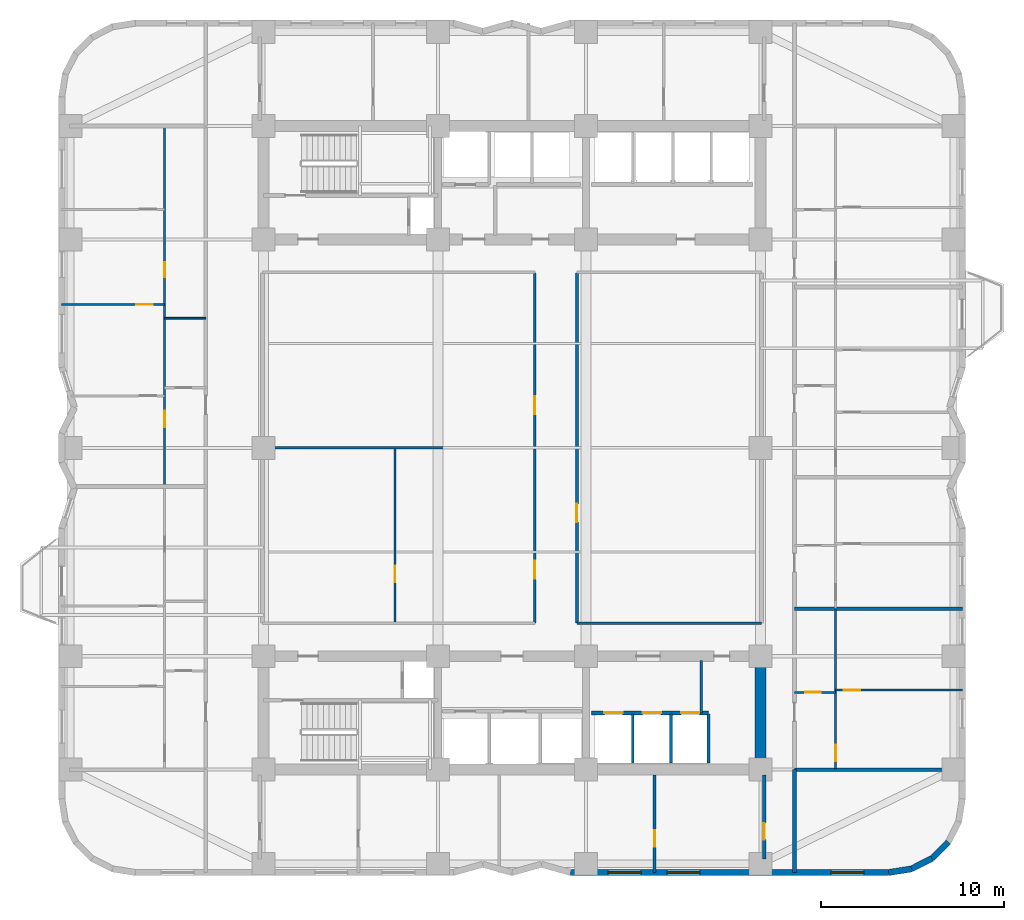
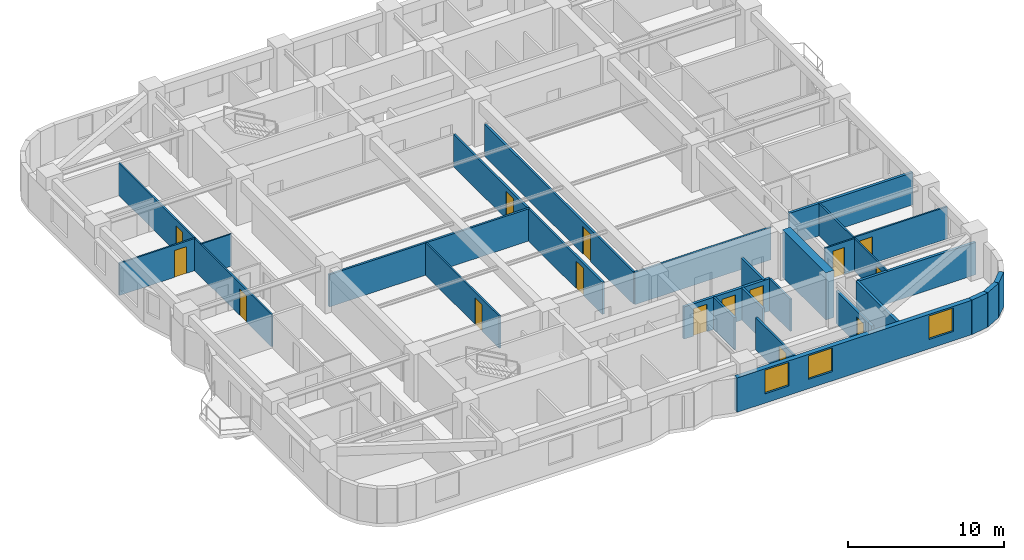
# One storey, part 4 of 9: 26 walls, 15 doors, 3 windows, 18 openings.
"""IFC4 building model written with IfcOpenShell, lengths in metres."""

from ifc_helpers import new_model, si_unit, direction, frame, frame_2d, origin, place, context, subcontext, project, spatial, rectangle, extrude, material, layer, layer_set, type_object, element, fill, save


model = new_model("IFC4")

# Units and contexts
model_context = context("Model", 3, precision=1e-05, world=origin(), true_north=direction((0.0, 1.0)))
body_context = subcontext(model_context, "Body", "Model", "MODEL_VIEW")
ifc_project = project(units=[si_unit("LENGTHUNIT", "METRE"), si_unit("AREAUNIT", "SQUARE_METRE"), si_unit("VOLUMEUNIT", "CUBIC_METRE"), si_unit("PLANEANGLEUNIT", "RADIAN"), si_unit("MASSUNIT", "GRAM", prefix="KILO")], contexts=[model_context])

# Site, building, storey
site_placement = place(None, origin())
site = spatial("IfcSite", under=ifc_project, at=site_placement, CompositionType="ELEMENT")
building_placement = place(site_placement, origin())
building = spatial("IfcBuilding", under=site, at=building_placement, Name="Svetorya Sky Lyceum", CompositionType="ELEMENT")
storey_placement = place(building_placement, frame((0.0, 0.0, 62.10009765625)))
storey = spatial("IfcBuildingStorey", under=building, at=storey_placement, Name="L15", CompositionType="ELEMENT", Elevation=62.10009765625)

# Wall
ifc_material_1 = material(Name="Concrete C60/75", Category="concrete")
ifc_layer_1 = layer(ifc_material_1, 0.60009765625)
ifc_layer_set_1 = layer_set([ifc_layer_1], Name="Concrete C60/75")
wall_type_1 = type_object("IfcWallType", Name="WL-CORE-600", PredefinedType="SHEAR", material=ifc_layer_set_1)
wall_1_placement = place(storey_placement, frame((52.800048828125, 10.89990234375, 0.0), z_axis=(0.0, 0.0, 1.0), x_axis=(0.0, 1.0, 0.0)))
element("IfcWall", 1, at=wall_1_placement, inside=storey, type_object=wall_type_1, Name="L15 SC East Core Shear Wall", PredefinedType="SHEAR", context=body_context, shape_type="SweptSolid", body=[
    extrude(rectangle(XDim=5.60009765625, YDim=0.60009765625, at=frame_2d((2.800048828125, 0.0))), origin(), (0.0, 0.0, 1.0), 3.699951171875),
])

# Wall, openings, windows
ifc_material_2 = material(Name="Putilovo limestone rainscreen on autoclaved cellular masonry", Category="masonry")
ifc_layer_2 = layer(ifc_material_2, 0.340087890625)
ifc_layer_set_2 = layer_set([ifc_layer_2], Name="Putilovo limestone rainscreen on autoclaved cellular masonry")
wall_type_2 = type_object("IfcWallType", Name="WL-EXT-340", PredefinedType="SOLIDWALL", material=ifc_layer_set_2)
wall_2_placement = place(storey_placement, frame((42.39990234375, 4.969970703125, 0.0), z_axis=(0.0, 0.0, 1.0), x_axis=(1.0, 0.0, 0.0)))
wall_2 = element("IfcWall", 2, at=wall_2_placement, inside=storey, type_object=wall_type_2, Name="L15 Limestone Exterior Wall 11M", PredefinedType="SOLIDWALL", context=body_context, shape_type="SweptSolid", body=[
    extrude(rectangle(XDim=17.400146484375, YDim=0.340087890625, at=frame_2d((8.7001953125, 0.0))), origin(), (0.0, 0.0, 1.0), 2.699951171875),
])
opening_1_placement = place(wall_2_placement, frame((2.06005859375, 0.0, 0.72998046875)))
opening_1 = element("IfcOpeningElement", 3, at=opening_1_placement, cuts=wall_2, Name="Opening W-R1", PredefinedType="OPENING", context=body_context, shape_type="SweptSolid", body=[
    extrude(rectangle(XDim=1.800048828125, YDim=1.85009765625, at=frame_2d((0.89990234375, 0.925048828125))), frame((0.0, 0.179931640625, 0.0), z_axis=(0.0, -1.0, 0.0), x_axis=(1.0, 0.0, 0.0)), (0.0, 0.0, 1.0), 0.360107421875),
])
opening_2_placement = place(wall_2_placement, frame((5.280029296875, 0.0, 0.72998046875)))
opening_2 = element("IfcOpeningElement", 4, at=opening_2_placement, cuts=wall_2, Name="Opening W-R1", PredefinedType="OPENING", context=body_context, shape_type="SweptSolid", body=[
    extrude(rectangle(XDim=1.800048828125, YDim=1.85009765625, at=frame_2d((0.89990234375, 0.925048828125))), frame((0.0, 0.179931640625, 0.0), z_axis=(0.0, -1.0, 0.0), x_axis=(1.0, 0.0, 0.0)), (0.0, 0.0, 1.0), 0.360107421875),
])
opening_3_placement = place(wall_2_placement, frame((14.239990234375, 0.0, 0.72998046875)))
opening_3 = element("IfcOpeningElement", 5, at=opening_3_placement, cuts=wall_2, Name="Opening W-R1", PredefinedType="OPENING", context=body_context, shape_type="SweptSolid", body=[
    extrude(rectangle(XDim=1.800048828125, YDim=1.85009765625, at=frame_2d((0.89990234375, 0.925048828125))), frame((0.0, 0.179931640625, 0.0), z_axis=(0.0, -1.0, 0.0), x_axis=(1.0, 0.0, 0.0)), (0.0, 0.0, 1.0), 0.360107421875),
])
ifc_material_3 = material(Name="Thermally broken aluminium frame with triple low-E glazing", Category="aluminium")
window_type = type_object("IfcWindowType", Name="WN-RES-180", PartitioningType="DOUBLE_PANEL_VERTICAL", PredefinedType="WINDOW", material=ifc_material_3)
window_1_placement = place(opening_1_placement, origin())
window_1 = element("IfcWindow", 6, at=window_1_placement, inside=storey, type_object=window_type, Name="L15 Facade Window W-R1.11M.1", OverallHeight=1.85009765625, OverallWidth=1.800048828125, PartitioningType="SINGLE_PANEL", PredefinedType="WINDOW", context=body_context, shape_type="SweptSolid", body=[
    extrude(rectangle(XDim=1.800048828125, YDim=1.85009765625, at=frame_2d((0.89990234375, 0.925048828125))), frame((0.0, 0.030029296875, 0.0), z_axis=(0.0, -1.0, 0.0), x_axis=(1.0, 0.0, 0.0)), (0.0, 0.0, 1.0), 0.06005859375),
])
fill(opening_1, window_1)
window_2_placement = place(opening_2_placement, origin())
window_2 = element("IfcWindow", 7, at=window_2_placement, inside=storey, type_object=window_type, Name="L15 Facade Window W-R1.11M.2", OverallHeight=1.85009765625, OverallWidth=1.800048828125, PartitioningType="SINGLE_PANEL", PredefinedType="WINDOW", context=body_context, shape_type="SweptSolid", body=[
    extrude(rectangle(XDim=1.800048828125, YDim=1.85009765625, at=frame_2d((0.89990234375, 0.925048828125))), frame((0.0, 0.030029296875, 0.0), z_axis=(0.0, -1.0, 0.0), x_axis=(1.0, 0.0, 0.0)), (0.0, 0.0, 1.0), 0.06005859375),
])
fill(opening_2, window_2)
window_3_placement = place(opening_3_placement, origin())
window_3 = element("IfcWindow", 8, at=window_3_placement, inside=storey, type_object=window_type, Name="L15 Facade Window W-R1.11M.3", OverallHeight=1.85009765625, OverallWidth=1.800048828125, PartitioningType="SINGLE_PANEL", PredefinedType="WINDOW", context=body_context, shape_type="SweptSolid", body=[
    extrude(rectangle(XDim=1.800048828125, YDim=1.85009765625, at=frame_2d((0.89990234375, 0.925048828125))), frame((0.0, 0.030029296875, 0.0), z_axis=(0.0, -1.0, 0.0), x_axis=(1.0, 0.0, 0.0)), (0.0, 0.0, 1.0), 0.06005859375),
])
fill(opening_3, window_3)

# Walls
wall_3_placement = place(storey_placement, frame((59.800048828125, 4.969970703125, 0.0), z_axis=(0.0, 0.0, 1.0), x_axis=(0.987685918112, 0.15644975923, 0.0)))
element("IfcWall", 9, at=wall_3_placement, inside=storey, type_object=wall_type_2, Name="L15 Limestone Exterior Wall 12M", PredefinedType="SOLIDWALL", context=body_context, shape_type="SweptSolid", body=[
    extrude(rectangle(XDim=1.260986328125, YDim=0.340087890625, at=frame_2d((0.63037109375, 0.0))), origin(), (0.0, 0.0, 1.0), 2.699951171875),
])
for number, where, z_axis, x_axis, name in (
    (10, (61.04541015625, 5.167236328125, 0.0), (0.0, 0.0, 1.0), (0.890953769915, 0.454094020963, 0.0), "L15 Limestone Exterior Wall 13M"),
    (11, (62.168701171875, 5.73974609375, 0.0), (0.0, 0.0, 1.0), (0.707203598708, 0.707009950407, 0.0), "L15 Limestone Exterior Wall 14M"),
):
    element("IfcWall", number, at=place(storey_placement, frame(where, z_axis=z_axis, x_axis=x_axis)), inside=storey, type_object=wall_type_2, Name=name, PredefinedType="SOLIDWALL", context=body_context, shape_type="SweptSolid", body=[
        extrude(rectangle(XDim=1.2607421875, YDim=0.340087890625, at=frame_2d((0.63037109375, 0.0))), origin(), (0.0, 0.0, 1.0), 2.699951171875),
    ])
ifc_material_4 = material(Name="Galvanized stud partition with moisture-resistant board", Category="gypsum")
ifc_layer_3 = layer(ifc_material_4, 0.10009765625)
ifc_layer_set_3 = layer_set([ifc_layer_3], Name="Galvanized stud partition with moisture-resistant board")
wall_type_3 = type_object("IfcWallType", Name="WL-PART-100", PredefinedType="PARTITIONING", material=ifc_layer_set_3)
wall_4_placement = place(storey_placement, frame((20.199951171875, 35.2880859375, 0.0), z_axis=(0.0, 0.0, 1.0), x_axis=(1.0, 0.0, 0.0)))
element("IfcWall", 12, at=wall_4_placement, inside=storey, type_object=wall_type_3, Name="L15 Interior Partition W2-WH2", PredefinedType="PARTITIONING", context=body_context, shape_type="SweptSolid", body=[
    extrude(rectangle(XDim=2.25, YDim=0.10009765625, at=frame_2d((1.125, 0.0))), origin(), (0.0, 0.0, 1.0), 2.52978515625),
])

# Wall, opening, door
ifc_material_5 = material(Name="Twin-stud galvanized framing with double fireboard", Category="gypsum")
ifc_layer_4 = layer(ifc_material_5, 0.1201171875)
ifc_layer_set_4 = layer_set([ifc_layer_4], Name="Twin-stud galvanized framing with double fireboard")
wall_type_4 = type_object("IfcWallType", Name="WL-PART-120", PredefinedType="PARTITIONING", material=ifc_layer_set_4)
wall_5_placement = place(storey_placement, frame((32.800048828125, 18.659912109375, 0.0), z_axis=(0.0, 0.0, 1.0), x_axis=(0.0, 1.0, 0.0)))
wall_5 = element("IfcWall", 13, at=wall_5_placement, inside=storey, type_object=wall_type_4, Name="L15 Interior Partition CEN-WV1", PredefinedType="PARTITIONING", context=body_context, shape_type="SweptSolid", body=[
    extrude(rectangle(XDim=9.489990234375, YDim=0.1201171875, at=frame_2d((4.7451171875, 0.0))), origin(), (0.0, 0.0, 1.0), 2.52978515625),
])
opening_4_placement = place(wall_5_placement, frame((2.199951171875, 0.0, 0.0)))
opening_4 = element("IfcOpeningElement", 14, at=opening_4_placement, cuts=wall_5, Name="Opening D-RM1", PredefinedType="OPENING", context=body_context, shape_type="SweptSolid", body=[
    extrude(rectangle(XDim=0.89990234375, YDim=2.10009765625, at=frame_2d((0.449951171875, 1.050048828125))), frame((0.0, 0.070068359375, 0.0), z_axis=(0.0, -1.0, 0.0), x_axis=(1.0, 0.0, 0.0)), (0.0, 0.0, 1.0), 0.14013671875),
])
ifc_material_6 = material(Name="Lacquered birch veneer internal door")
door_type_1 = type_object("IfcDoorType", Name="DR-INT-900", OperationType="SINGLE_SWING_LEFT", PredefinedType="DOOR", material=ifc_material_6)
door_1_placement = place(opening_4_placement, origin())
door_1 = element("IfcDoor", 15, at=door_1_placement, inside=storey, type_object=door_type_1, Name="L15 Quiet Study Door", OperationType="SINGLE_SWING_LEFT", OverallHeight=2.10009765625, OverallWidth=0.89990234375, PredefinedType="DOOR", context=body_context, shape_type="SweptSolid", body=[
    extrude(rectangle(XDim=0.89990234375, YDim=2.10009765625, at=frame_2d((0.449951171875, 1.050048828125))), frame((0.0, 0.02490234375, 0.0), z_axis=(0.0, -1.0, 0.0), x_axis=(1.0, 0.0, 0.0)), (0.0, 0.0, 1.0), 0.050048828125),
])
fill(opening_4, door_1)

wall_6_placement = place(storey_placement, frame((14.570068359375, 36.0380859375, 0.0), z_axis=(0.0, 0.0, 1.0), x_axis=(1.0, 0.0, 0.0)))
wall_6 = element("IfcWall", 16, at=wall_6_placement, inside=storey, type_object=wall_type_4, Name="L15 Interior Partition W2-WL2", PredefinedType="PARTITIONING", context=body_context, shape_type="SweptSolid", body=[
    extrude(rectangle(XDim=5.6298828125, YDim=0.1201171875, at=frame_2d((2.81494140625, 0.0))), origin(), (0.0, 0.0, 1.0), 2.52978515625),
])
opening_5_placement = place(wall_6_placement, frame((4.080078125, 0.0, 0.0)))
opening_5 = element("IfcOpeningElement", 17, at=opening_5_placement, cuts=wall_6, Name="Opening D-RM1", PredefinedType="OPENING", context=body_context, shape_type="SweptSolid", body=[
    extrude(rectangle(XDim=0.89990234375, YDim=2.10009765625, at=frame_2d((0.449951171875, 1.050048828125))), frame((0.0, 0.070068359375, 0.0), z_axis=(0.0, -1.0, 0.0), x_axis=(1.0, 0.0, 0.0)), (0.0, 0.0, 1.0), 0.14013671875),
])
door_2_placement = place(opening_5_placement, origin())
door_2 = element("IfcDoor", 18, at=door_2_placement, inside=storey, type_object=door_type_1, Name="Apartment W2 Bedroom 2 Door", OperationType="SINGLE_SWING_LEFT", OverallHeight=2.10009765625, OverallWidth=0.89990234375, PredefinedType="DOOR", context=body_context, shape_type="SweptSolid", body=[
    extrude(rectangle(XDim=0.89990234375, YDim=2.10009765625, at=frame_2d((0.449951171875, 1.050048828125))), frame((0.0, 0.02490234375, 0.0), z_axis=(0.0, -1.0, 0.0), x_axis=(1.0, 0.0, 0.0)), (0.0, 0.0, 1.0), 0.050048828125),
])
fill(opening_5, door_2)

# Wall, openings, doors
wall_7_placement = place(storey_placement, frame((20.199951171875, 26.1279296875, 0.0), z_axis=(0.0, 0.0, 1.0), x_axis=(0.0, 1.0, 0.0)))
wall_7 = element("IfcWall", 19, at=wall_7_placement, inside=storey, type_object=wall_type_4, Name="L15 Interior Partition W2-WV", PredefinedType="PARTITIONING", context=body_context, shape_type="SweptSolid", body=[
    extrude(rectangle(XDim=19.632080078125, YDim=0.1201171875, at=frame_2d((9.81591796875, 0.0))), origin(), (0.0, 0.0, 1.0), 2.52978515625),
])
opening_6_placement = place(wall_7_placement, frame((3.2099609375, 0.0, 0.0)))
opening_6 = element("IfcOpeningElement", 20, at=opening_6_placement, cuts=wall_7, Name="Opening D-RM1", PredefinedType="OPENING", context=body_context, shape_type="SweptSolid", body=[
    extrude(rectangle(XDim=0.89990234375, YDim=2.10009765625, at=frame_2d((0.449951171875, 1.050048828125))), frame((0.0, 0.070068359375, 0.0), z_axis=(0.0, -1.0, 0.0), x_axis=(1.0, 0.0, 0.0)), (0.0, 0.0, 1.0), 0.14013671875),
])
opening_7_placement = place(wall_7_placement, frame((11.392333984375, 0.0, 0.0)))
opening_7 = element("IfcOpeningElement", 21, at=opening_7_placement, cuts=wall_7, Name="Opening D-BT2", PredefinedType="OPENING", context=body_context, shape_type="SweptSolid", body=[
    extrude(rectangle(XDim=0.820068359375, YDim=2.080078125, at=frame_2d((0.41015625, 1.0400390625))), frame((0.0, 0.070068359375, 0.0), z_axis=(0.0, -1.0, 0.0), x_axis=(1.0, 0.0, 0.0)), (0.0, 0.0, 1.0), 0.14013671875),
])
door_3_placement = place(opening_6_placement, origin())
door_3 = element("IfcDoor", 22, at=door_3_placement, inside=storey, type_object=door_type_1, Name="Apartment W2 Living Door", OperationType="SINGLE_SWING_LEFT", OverallHeight=2.10009765625, OverallWidth=0.89990234375, PredefinedType="DOOR", context=body_context, shape_type="SweptSolid", body=[
    extrude(rectangle(XDim=0.89990234375, YDim=2.10009765625, at=frame_2d((0.449951171875, 1.050048828125))), frame((0.0, 0.02490234375, 0.0), z_axis=(0.0, -1.0, 0.0), x_axis=(1.0, 0.0, 0.0)), (0.0, 0.0, 1.0), 0.050048828125),
])
fill(opening_6, door_3)
ifc_material_7 = material(Name="Compact moisture-resistant laminate closet door")
door_type_2 = type_object("IfcDoorType", Name="DR-WET-820", OperationType="SINGLE_SWING_LEFT", PredefinedType="DOOR", material=ifc_material_7)
door_4_placement = place(opening_7_placement, origin())
door_4 = element("IfcDoor", 23, at=door_4_placement, inside=storey, type_object=door_type_2, Name="Apartment W2 Study Door", OperationType="SINGLE_SWING_RIGHT", OverallHeight=2.080078125, OverallWidth=0.820068359375, PredefinedType="DOOR", context=body_context, shape_type="SweptSolid", body=[
    extrude(rectangle(XDim=0.820068359375, YDim=2.080078125, at=frame_2d((0.41015625, 1.0400390625))), frame((0.0, 0.02490234375, 0.0), z_axis=(0.0, -1.0, 0.0), x_axis=(1.0, 0.0, 0.0)), (0.0, 0.0, 1.0), 0.050048828125),
])
fill(opening_7, door_4)

# Wall, opening, door
wall_8_placement = place(storey_placement, frame((54.64990234375, 14.820068359375, 0.0), z_axis=(0.0, 0.0, 1.0), x_axis=(1.0, 0.0, 0.0)))
wall_8 = element("IfcWall", 24, at=wall_8_placement, inside=storey, type_object=wall_type_4, Name="L15 Interior Partition E1-WH1", PredefinedType="PARTITIONING", context=body_context, shape_type="SweptSolid", body=[
    extrude(rectangle(XDim=2.25, YDim=0.1201171875, at=frame_2d((1.125, 0.0))), origin(), (0.0, 0.0, 1.0), 2.52978515625),
])
opening_8_placement = place(wall_8_placement, frame((0.60009765625, 0.0, 0.0)))
opening_8 = element("IfcOpeningElement", 25, at=opening_8_placement, cuts=wall_8, Name="Opening D-BT1", PredefinedType="OPENING", context=body_context, shape_type="SweptSolid", body=[
    extrude(rectangle(XDim=0.85009765625, YDim=2.10009765625, at=frame_2d((0.425048828125, 1.050048828125))), frame((0.0, 0.070068359375, 0.0), z_axis=(0.0, -1.0, 0.0), x_axis=(1.0, 0.0, 0.0)), (0.0, 0.0, 1.0), 0.14013671875),
])
ifc_material_8 = material(Name="Moisture-resistant laminate bathroom door")
door_type_3 = type_object("IfcDoorType", Name="DR-WET-850", OperationType="SINGLE_SWING_LEFT", PredefinedType="DOOR", material=ifc_material_8)
door_5_placement = place(opening_8_placement, origin())
door_5 = element("IfcDoor", 26, at=door_5_placement, inside=storey, type_object=door_type_3, Name="Apartment E1 Bathroom Door", OperationType="SINGLE_SWING_RIGHT", OverallHeight=2.10009765625, OverallWidth=0.85009765625, PredefinedType="DOOR", context=body_context, shape_type="SweptSolid", body=[
    extrude(rectangle(XDim=0.85009765625, YDim=2.10009765625, at=frame_2d((0.425048828125, 1.050048828125))), frame((0.0, 0.02490234375, 0.0), z_axis=(0.0, -1.0, 0.0), x_axis=(1.0, 0.0, 0.0)), (0.0, 0.0, 1.0), 0.050048828125),
])
fill(opening_8, door_5)

wall_9_placement = place(storey_placement, frame((56.89990234375, 14.949951171875, 0.0), z_axis=(0.0, 0.0, 1.0), x_axis=(1.0, 0.0, 0.0)))
wall_9 = element("IfcWall", 27, at=wall_9_placement, inside=storey, type_object=wall_type_4, Name="L15 Interior Partition E1-WL1", PredefinedType="PARTITIONING", context=body_context, shape_type="SweptSolid", body=[
    extrude(rectangle(XDim=6.93017578125, YDim=0.1201171875, at=frame_2d((3.465087890625, 0.0))), origin(), (0.0, 0.0, 1.0), 2.52978515625),
])
opening_9_placement = place(wall_9_placement, frame((0.449951171875, 0.0, 0.0)))
opening_9 = element("IfcOpeningElement", 28, at=opening_9_placement, cuts=wall_9, Name="Opening D-RM1", PredefinedType="OPENING", context=body_context, shape_type="SweptSolid", body=[
    extrude(rectangle(XDim=0.89990234375, YDim=2.10009765625, at=frame_2d((0.449951171875, 1.050048828125))), frame((0.0, 0.070068359375, 0.0), z_axis=(0.0, -1.0, 0.0), x_axis=(1.0, 0.0, 0.0)), (0.0, 0.0, 1.0), 0.14013671875),
])
door_6_placement = place(opening_9_placement, origin())
door_6 = element("IfcDoor", 29, at=door_6_placement, inside=storey, type_object=door_type_1, Name="Apartment E1 Bedroom 1 Door", OperationType="SINGLE_SWING_RIGHT", OverallHeight=2.10009765625, OverallWidth=0.89990234375, PredefinedType="DOOR", context=body_context, shape_type="SweptSolid", body=[
    extrude(rectangle(XDim=0.89990234375, YDim=2.10009765625, at=frame_2d((0.449951171875, 1.050048828125))), frame((0.0, 0.02490234375, 0.0), z_axis=(0.0, -1.0, 0.0), x_axis=(1.0, 0.0, 0.0)), (0.0, 0.0, 1.0), 0.050048828125),
])
fill(opening_9, door_6)

wall_10_placement = place(storey_placement, frame((56.89990234375, 10.639892578125, 0.0), z_axis=(0.0, 0.0, 1.0), x_axis=(0.0, 1.0, 0.0)))
wall_10 = element("IfcWall", 30, at=wall_10_placement, inside=storey, type_object=wall_type_4, Name="L15 Interior Partition E1-WV", PredefinedType="PARTITIONING", context=body_context, shape_type="SweptSolid", body=[
    extrude(rectangle(XDim=8.72021484375, YDim=0.1201171875, at=frame_2d((4.360107421875, 0.0))), origin(), (0.0, 0.0, 1.0), 2.52978515625),
])
opening_10_placement = place(wall_10_placement, frame((0.409912109375, 0.0, 0.0)))
opening_10 = element("IfcOpeningElement", 31, at=opening_10_placement, cuts=wall_10, Name="Opening D-RM1", PredefinedType="OPENING", context=body_context, shape_type="SweptSolid", body=[
    extrude(rectangle(XDim=0.89990234375, YDim=2.10009765625, at=frame_2d((0.449951171875, 1.050048828125))), frame((0.0, 0.070068359375, 0.0), z_axis=(0.0, -1.0, 0.0), x_axis=(1.0, 0.0, 0.0)), (0.0, 0.0, 1.0), 0.14013671875),
])
door_7_placement = place(opening_10_placement, origin())
door_7 = element("IfcDoor", 32, at=door_7_placement, inside=storey, type_object=door_type_1, Name="Apartment E1 Living Door", OperationType="SINGLE_SWING_LEFT", OverallHeight=2.10009765625, OverallWidth=0.89990234375, PredefinedType="DOOR", context=body_context, shape_type="SweptSolid", body=[
    extrude(rectangle(XDim=0.89990234375, YDim=2.10009765625, at=frame_2d((0.449951171875, 1.050048828125))), frame((0.0, 0.02490234375, 0.0), z_axis=(0.0, -1.0, 0.0), x_axis=(1.0, 0.0, 0.0)), (0.0, 0.0, 1.0), 0.050048828125),
])
fill(opening_10, door_7)

# Walls
ifc_material_9 = material(Name="Autoclaved cellular masonry blockwork with acoustic render", Category="masonry")
ifc_layer_5 = layer(ifc_material_9, 0.14990234375)
ifc_layer_set_5 = layer_set([ifc_layer_5], Name="Autoclaved cellular masonry blockwork with acoustic render")
wall_type_5 = type_object("IfcWallType", Name="WL-PART-150", PredefinedType="PARTITIONING", material=ifc_layer_set_5)
for number, where, z_axis, x_axis, name in (
    (33, (45.800048828125, 10.949951171875, 0.0), (0.0, 0.0, 1.0), (0.0, 1.0, 0.0), "L15 Interior Partition SC-PL-DIV1"),
    (34, (47.89990234375, 10.949951171875, 0.0), (0.0, 0.0, 1.0), (0.0, 1.0, 0.0), "L15 Interior Partition SC-PL-DIV2"),
    (35, (49.949951171875, 10.949951171875, 0.0), (0.0, 0.0, 1.0), (0.0, 1.0, 0.0), "L15 Interior Partition SC-PL-END"),
):
    element("IfcWall", number, at=place(storey_placement, frame(where, z_axis=z_axis, x_axis=x_axis)), inside=storey, type_object=wall_type_5, Name=name, PredefinedType="PARTITIONING", context=body_context, shape_type="SweptSolid", body=[
        extrude(rectangle(XDim=2.699951171875, YDim=0.14990234375, at=frame_2d((1.35009765625, 0.0))), origin(), (0.0, 0.0, 1.0), 2.52978515625),
    ])
wall_11_placement = place(storey_placement, frame((49.550048828125, 13.699951171875, 0.0), z_axis=(0.0, 0.0, 1.0), x_axis=(0.0, 1.0, 0.0)))
element("IfcWall", 36, at=wall_11_placement, inside=storey, type_object=wall_type_5, Name="L15 Interior Partition SC-AUX-V", PredefinedType="PARTITIONING", context=body_context, shape_type="SweptSolid", body=[
    extrude(rectangle(XDim=2.880126953125, YDim=0.14990234375, at=frame_2d((1.43994140625, 0.0))), origin(), (0.0, 0.0, 1.0), 2.52978515625),
])
wall_12_placement = place(storey_placement, frame((42.75, 18.60009765625, 0.0), z_axis=(0.0, 0.0, 1.0), x_axis=(1.0, 0.0, 0.0)))
element("IfcWall", 37, at=wall_12_placement, inside=storey, type_object=wall_type_5, Name="L15 Interior Partition CS-MID-E", PredefinedType="PARTITIONING", context=body_context, shape_type="SweptSolid", body=[
    extrude(rectangle(XDim=10.10009765625, YDim=0.14990234375, at=frame_2d((5.050048828125, 0.0))), origin(), (0.0, 0.0, 1.0), 2.52978515625),
])
wall_13_placement = place(storey_placement, frame((25.60009765625, 28.199951171875, 0.0), z_axis=(0.0, 0.0, 1.0), x_axis=(1.0, 0.0, 0.0)))
element("IfcWall", 38, at=wall_13_placement, inside=storey, type_object=wall_type_5, Name="L15 Interior Partition CEN-HW", PredefinedType="PARTITIONING", context=body_context, shape_type="SweptSolid", body=[
    extrude(rectangle(XDim=14.869873046875, YDim=0.14990234375, at=frame_2d((7.43505859375, 0.0))), origin(), (0.0, 0.0, 1.0), 2.52978515625),
])

# Wall, openings, doors
wall_14_placement = place(storey_placement, frame((40.449951171875, 18.6298828125, 0.0), z_axis=(0.0, 0.0, 1.0), x_axis=(0.0, 1.0, 0.0)))
wall_14 = element("IfcWall", 39, at=wall_14_placement, inside=storey, type_object=wall_type_5, Name="L15 Interior Partition CEN-VW", PredefinedType="PARTITIONING", context=body_context, shape_type="SweptSolid", body=[
    extrude(rectangle(XDim=19.14013671875, YDim=0.14990234375, at=frame_2d((9.570068359375, 0.0))), origin(), (0.0, 0.0, 1.0), 2.52978515625),
])
opening_11_placement = place(wall_14_placement, frame((2.39990234375, 0.0, 0.0)))
opening_11 = element("IfcOpeningElement", 40, at=opening_11_placement, cuts=wall_14, Name="Opening D-RM2", PredefinedType="OPENING", context=body_context, shape_type="SweptSolid", body=[
    extrude(rectangle(XDim=1.0, YDim=2.14990234375, at=frame_2d((0.5, 1.074951171875))), frame((0.0, 0.0849609375, 0.0), z_axis=(0.0, -1.0, 0.0), x_axis=(1.0, 0.0, 0.0)), (0.0, 0.0, 1.0), 0.169921875),
])
opening_12_placement = place(wall_14_placement, frame((11.39990234375, 0.0, 0.0)))
opening_12 = element("IfcOpeningElement", 41, at=opening_12_placement, cuts=wall_14, Name="Opening D-RM2", PredefinedType="OPENING", context=body_context, shape_type="SweptSolid", body=[
    extrude(rectangle(XDim=1.0, YDim=2.14990234375, at=frame_2d((0.5, 1.074951171875))), frame((0.0, 0.0849609375, 0.0), z_axis=(0.0, -1.0, 0.0), x_axis=(1.0, 0.0, 0.0)), (0.0, 0.0, 1.0), 0.169921875),
])
ifc_material_10 = material(Name="Solid-core oak acoustic room door")
door_type_4 = type_object("IfcDoorType", Name="DR-INT-1000", OperationType="SINGLE_SWING_LEFT", PredefinedType="DOOR", material=ifc_material_10)
door_8_placement = place(opening_11_placement, origin())
door_8 = element("IfcDoor", 42, at=door_8_placement, inside=storey, type_object=door_type_4, Name="L15 Study Door", OperationType="SINGLE_SWING_LEFT", OverallHeight=2.14990234375, OverallWidth=1.0, PredefinedType="DOOR", context=body_context, shape_type="SweptSolid", body=[
    extrude(rectangle(XDim=1.0, YDim=2.14990234375, at=frame_2d((0.5, 1.074951171875))), frame((0.0, 0.02490234375, 0.0), z_axis=(0.0, -1.0, 0.0), x_axis=(1.0, 0.0, 0.0)), (0.0, 0.0, 1.0), 0.050048828125),
])
fill(opening_11, door_8)
door_9_placement = place(opening_12_placement, origin())
door_9 = element("IfcDoor", 43, at=door_9_placement, inside=storey, type_object=door_type_4, Name="L15 Focus Door", OperationType="SINGLE_SWING_RIGHT", OverallHeight=2.14990234375, OverallWidth=1.0, PredefinedType="DOOR", context=body_context, shape_type="SweptSolid", body=[
    extrude(rectangle(XDim=1.0, YDim=2.14990234375, at=frame_2d((0.5, 1.074951171875))), frame((0.0, 0.02490234375, 0.0), z_axis=(0.0, -1.0, 0.0), x_axis=(1.0, 0.0, 0.0)), (0.0, 0.0, 1.0), 0.050048828125),
])
fill(opening_12, door_9)

# Wall, opening, door
wall_15_placement = place(storey_placement, frame((42.75, 18.6298828125, 0.0), z_axis=(0.0, 0.0, 1.0), x_axis=(0.0, 1.0, 0.0)))
wall_15 = element("IfcWall", 44, at=wall_15_placement, inside=storey, type_object=wall_type_5, Name="L15 Interior Partition CEN-VE", PredefinedType="PARTITIONING", context=body_context, shape_type="SweptSolid", body=[
    extrude(rectangle(XDim=19.14013671875, YDim=0.14990234375, at=frame_2d((9.570068359375, 0.0))), origin(), (0.0, 0.0, 1.0), 2.52978515625),
])
opening_13_placement = place(wall_15_placement, frame((5.5, 0.0, 0.0)))
opening_13 = element("IfcOpeningElement", 45, at=opening_13_placement, cuts=wall_15, Name="Opening D-RM2", PredefinedType="OPENING", context=body_context, shape_type="SweptSolid", body=[
    extrude(rectangle(XDim=1.0, YDim=2.14990234375, at=frame_2d((0.5, 1.074951171875))), frame((0.0, 0.0849609375, 0.0), z_axis=(0.0, -1.0, 0.0), x_axis=(1.0, 0.0, 0.0)), (0.0, 0.0, 1.0), 0.169921875),
])
door_10_placement = place(opening_13_placement, origin())
door_10 = element("IfcDoor", 46, at=door_10_placement, inside=storey, type_object=door_type_4, Name="L15 East Hall Door", OperationType="SINGLE_SWING_RIGHT", OverallHeight=2.14990234375, OverallWidth=1.0, PredefinedType="DOOR", context=body_context, shape_type="SweptSolid", body=[
    extrude(rectangle(XDim=1.0, YDim=2.14990234375, at=frame_2d((0.5, 1.074951171875))), frame((0.0, 0.02490234375, 0.0), z_axis=(0.0, -1.0, 0.0), x_axis=(1.0, 0.0, 0.0)), (0.0, 0.0, 1.0), 0.050048828125),
])
fill(opening_13, door_10)

wall_16_placement = place(storey_placement, frame((47.0, 4.969970703125, 0.0), z_axis=(0.0, 0.0, 1.0), x_axis=(0.0, 1.0, 0.0)))
wall_16 = element("IfcWall", 47, at=wall_16_placement, inside=storey, type_object=wall_type_5, Name="L15 Interior Partition S4-D3", PredefinedType="PARTITIONING", context=body_context, shape_type="SweptSolid", body=[
    extrude(rectangle(XDim=5.330078125, YDim=0.14990234375, at=frame_2d((2.6650390625, 0.0))), origin(), (0.0, 0.0, 1.0), 2.52978515625),
])
opening_14_placement = place(wall_16_placement, frame((1.39990234375, 0.0, 0.0)))
opening_14 = element("IfcOpeningElement", 48, at=opening_14_placement, cuts=wall_16, Name="Opening D-RM1", PredefinedType="OPENING", context=body_context, shape_type="SweptSolid", body=[
    extrude(rectangle(XDim=0.89990234375, YDim=2.10009765625, at=frame_2d((0.449951171875, 1.050048828125))), frame((0.0, 0.0849609375, 0.0), z_axis=(0.0, -1.0, 0.0), x_axis=(1.0, 0.0, 0.0)), (0.0, 0.0, 1.0), 0.169921875),
])
door_11_placement = place(opening_14_placement, origin())
door_11 = element("IfcDoor", 49, at=door_11_placement, inside=storey, type_object=door_type_1, Name="L15 South Suite Door 3", OperationType="SINGLE_SWING_LEFT", OverallHeight=2.10009765625, OverallWidth=0.89990234375, PredefinedType="DOOR", context=body_context, shape_type="SweptSolid", body=[
    extrude(rectangle(XDim=0.89990234375, YDim=2.10009765625, at=frame_2d((0.449951171875, 1.050048828125))), frame((0.0, 0.02490234375, 0.0), z_axis=(0.0, -1.0, 0.0), x_axis=(1.0, 0.0, 0.0)), (0.0, 0.0, 1.0), 0.050048828125),
])
fill(opening_14, door_11)

# Wall, openings, doors
ifc_material_11 = material(Name="Autoclaved cellular masonry blockwork with gypsum plaster", Category="masonry")
ifc_layer_6 = layer(ifc_material_11, 0.199951171875)
ifc_layer_set_6 = layer_set([ifc_layer_6], Name="Autoclaved cellular masonry blockwork with gypsum plaster")
wall_type_6 = type_object("IfcWallType", Name="WL-PART-200", PredefinedType="PARTITIONING", material=ifc_layer_set_6)
wall_17_placement = place(storey_placement, frame((43.550048828125, 13.699951171875, 0.0), z_axis=(0.0, 0.0, 1.0), x_axis=(1.0, 0.0, 0.0)))
wall_17 = element("IfcWall", 50, at=wall_17_placement, inside=storey, type_object=wall_type_6, Name="L15 Interior Partition SC-PLW", PredefinedType="PARTITIONING", context=body_context, shape_type="SweptSolid", body=[
    extrude(rectangle(XDim=6.39990234375, YDim=0.199951171875, at=frame_2d((3.199951171875, 0.0))), origin(), (0.0, 0.0, 1.0), 2.52978515625),
])
opening_15_placement = place(wall_17_placement, frame((0.699951171875, 0.0, 0.0)))
opening_15 = element("IfcOpeningElement", 51, at=opening_15_placement, cuts=wall_17, Name="Opening LD-P1", PredefinedType="OPENING", context=body_context, shape_type="SweptSolid", body=[
    extrude(rectangle(XDim=1.0, YDim=2.14990234375, at=frame_2d((0.5, 1.074951171875))), frame((0.0, 0.10986328125, 0.0), z_axis=(0.0, -1.0, 0.0), x_axis=(1.0, 0.0, 0.0)), (0.0, 0.0, 1.0), 0.219970703125),
])
opening_16_placement = place(wall_17_placement, frame((2.800048828125, 0.0, 0.0)))
opening_16 = element("IfcOpeningElement", 52, at=opening_16_placement, cuts=wall_17, Name="Opening LD-P1", PredefinedType="OPENING", context=body_context, shape_type="SweptSolid", body=[
    extrude(rectangle(XDim=1.0, YDim=2.14990234375, at=frame_2d((0.5, 1.074951171875))), frame((0.0, 0.10986328125, 0.0), z_axis=(0.0, -1.0, 0.0), x_axis=(1.0, 0.0, 0.0)), (0.0, 0.0, 1.0), 0.219970703125),
])
opening_17_placement = place(wall_17_placement, frame((4.89990234375, 0.0, 0.0)))
opening_17 = element("IfcOpeningElement", 53, at=opening_17_placement, cuts=wall_17, Name="Opening LD-P1", PredefinedType="OPENING", context=body_context, shape_type="SweptSolid", body=[
    extrude(rectangle(XDim=1.0, YDim=2.14990234375, at=frame_2d((0.5, 1.074951171875))), frame((0.0, 0.10986328125, 0.0), z_axis=(0.0, -1.0, 0.0), x_axis=(1.0, 0.0, 0.0)), (0.0, 0.0, 1.0), 0.219970703125),
])
ifc_material_12 = material(Name="Champagne-anodized stainless passenger lift landing door")
door_type_5 = type_object("IfcDoorType", Name="DR-LIFT-1000", OperationType="SLIDING_TO_LEFT", PredefinedType="DOOR", material=ifc_material_12)
door_12_placement = place(opening_15_placement, origin())
door_12 = element("IfcDoor", 54, at=door_12_placement, inside=storey, type_object=door_type_5, Name="L15 Passenger Lift PL1 Landing Door", OperationType="SLIDING_TO_LEFT", OverallHeight=2.14990234375, OverallWidth=1.0, PredefinedType="DOOR", context=body_context, shape_type="SweptSolid", body=[
    extrude(rectangle(XDim=1.0, YDim=2.14990234375, at=frame_2d((0.5, 1.074951171875))), frame((0.0, 0.02490234375, 0.0), z_axis=(0.0, -1.0, 0.0), x_axis=(1.0, 0.0, 0.0)), (0.0, 0.0, 1.0), 0.050048828125),
])
fill(opening_15, door_12)
door_13_placement = place(opening_16_placement, origin())
door_13 = element("IfcDoor", 55, at=door_13_placement, inside=storey, type_object=door_type_5, Name="L15 Passenger Lift PL2 Landing Door", OperationType="SLIDING_TO_LEFT", OverallHeight=2.14990234375, OverallWidth=1.0, PredefinedType="DOOR", context=body_context, shape_type="SweptSolid", body=[
    extrude(rectangle(XDim=1.0, YDim=2.14990234375, at=frame_2d((0.5, 1.074951171875))), frame((0.0, 0.02490234375, 0.0), z_axis=(0.0, -1.0, 0.0), x_axis=(1.0, 0.0, 0.0)), (0.0, 0.0, 1.0), 0.050048828125),
])
fill(opening_16, door_13)
door_14_placement = place(opening_17_placement, origin())
door_14 = element("IfcDoor", 56, at=door_14_placement, inside=storey, type_object=door_type_5, Name="L15 Passenger Lift PL3 Landing Door", OperationType="SLIDING_TO_LEFT", OverallHeight=2.14990234375, OverallWidth=1.0, PredefinedType="DOOR", context=body_context, shape_type="SweptSolid", body=[
    extrude(rectangle(XDim=1.0, YDim=2.14990234375, at=frame_2d((0.5, 1.074951171875))), frame((0.0, 0.02490234375, 0.0), z_axis=(0.0, -1.0, 0.0), x_axis=(1.0, 0.0, 0.0)), (0.0, 0.0, 1.0), 0.050048828125),
])
fill(opening_17, door_14)

# Walls
wall_18_placement = place(storey_placement, frame((54.64990234375, 19.39990234375, 0.0), z_axis=(0.0, 0.0, 1.0), x_axis=(1.0, 0.0, 0.0)))
element("IfcWall", 57, at=wall_18_placement, inside=storey, type_object=wall_type_6, Name="L15 Interior Partition E-PARTY-1", PredefinedType="PARTITIONING", context=body_context, shape_type="SweptSolid", body=[
    extrude(rectangle(XDim=9.18017578125, YDim=0.199951171875, at=frame_2d((4.590087890625, 0.0))), origin(), (0.0, 0.0, 1.0), 2.52978515625),
])
wall_19_placement = place(storey_placement, frame((54.64990234375, 10.60009765625, 0.0), z_axis=(0.0, 0.0, 1.0), x_axis=(1.0, 0.0, 0.0)))
element("IfcWall", 58, at=wall_19_placement, inside=storey, type_object=wall_type_6, Name="L15 Interior Partition E-CAP-S", PredefinedType="PARTITIONING", context=body_context, shape_type="SweptSolid", body=[
    extrude(rectangle(XDim=8.760009765625, YDim=0.199951171875, at=frame_2d((4.3798828125, 0.0))), origin(), (0.0, 0.0, 1.0), 2.52978515625),
])
wall_20_placement = place(storey_placement, frame((54.64990234375, 4.969970703125, 0.0), z_axis=(0.0, 0.0, 1.0), x_axis=(0.0, 1.0, 0.0)))
element("IfcWall", 59, at=wall_20_placement, inside=storey, type_object=wall_type_6, Name="L15 Interior Partition EC-SE-END", PredefinedType="PARTITIONING", context=body_context, shape_type="SweptSolid", body=[
    extrude(rectangle(XDim=5.630126953125, YDim=0.199951171875, at=frame_2d((2.81494140625, 0.0))), origin(), (0.0, 0.0, 1.0), 2.52978515625),
])

# Wall, opening, door
wall_21_placement = place(storey_placement, frame((53.0, 5.719970703125, 0.0), z_axis=(0.0, 0.0, 1.0), x_axis=(0.0, 1.0, 0.0)))
wall_21 = element("IfcWall", 60, at=wall_21_placement, inside=storey, type_object=wall_type_6, Name="L15 Interior Partition S4-EE", PredefinedType="PARTITIONING", context=body_context, shape_type="SweptSolid", body=[
    extrude(rectangle(XDim=4.580078125, YDim=0.199951171875, at=frame_2d((2.2900390625, 0.0))), origin(), (0.0, 0.0, 1.0), 2.52978515625),
])
opening_18_placement = place(wall_21_placement, frame((1.050048828125, 0.0, 0.0)))
opening_18 = element("IfcOpeningElement", 61, at=opening_18_placement, cuts=wall_21, Name="Opening D-RM1", PredefinedType="OPENING", context=body_context, shape_type="SweptSolid", body=[
    extrude(rectangle(XDim=0.89990234375, YDim=2.10009765625, at=frame_2d((0.449951171875, 1.050048828125))), frame((0.0, 0.10986328125, 0.0), z_axis=(0.0, -1.0, 0.0), x_axis=(1.0, 0.0, 0.0)), (0.0, 0.0, 1.0), 0.219970703125),
])
door_15_placement = place(opening_18_placement, origin())
door_15 = element("IfcDoor", 62, at=door_15_placement, inside=storey, type_object=door_type_1, Name="L15 SE Meeting Door", OperationType="SINGLE_SWING_RIGHT", OverallHeight=2.10009765625, OverallWidth=0.89990234375, PredefinedType="DOOR", context=body_context, shape_type="SweptSolid", body=[
    extrude(rectangle(XDim=0.89990234375, YDim=2.10009765625, at=frame_2d((0.449951171875, 1.050048828125))), frame((0.0, 0.02490234375, 0.0), z_axis=(0.0, -1.0, 0.0), x_axis=(1.0, 0.0, 0.0)), (0.0, 0.0, 1.0), 0.050048828125),
])
fill(opening_18, door_15)

save(model, "model.ifc")
